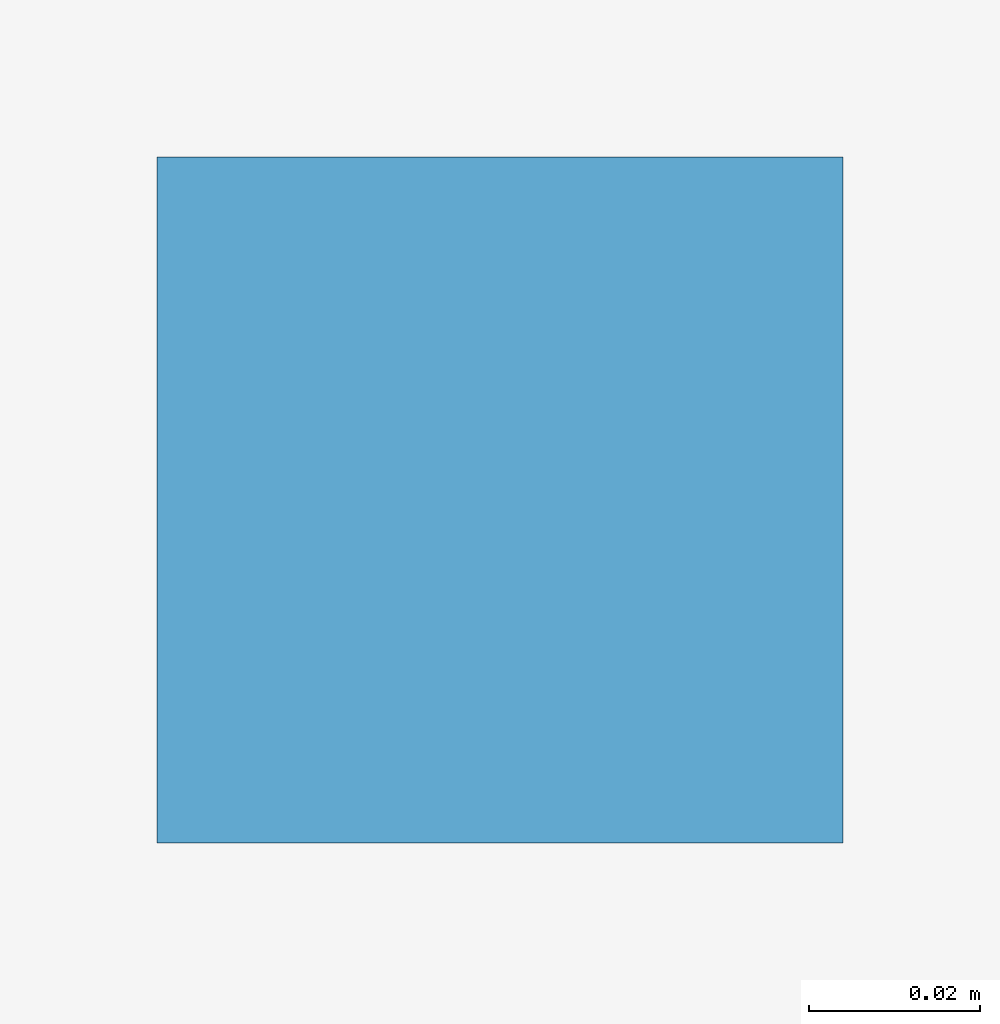
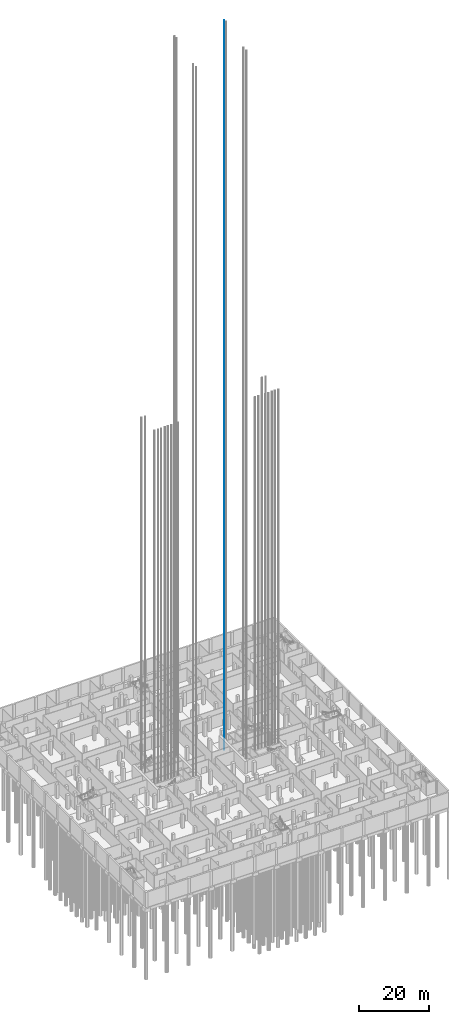
# One storey, part 42 of 54: 1 discrete accessory.
"""IFC4 building model written with IfcOpenShell, lengths in metres."""

from ifc_helpers import new_model, si_unit, direction, frame, origin, origin_2d, place, context, subcontext, project, spatial, rectangle, extrude, material, element, save


model = new_model("IFC4")

# Units and contexts
model_context = context("Model", 3, precision=1e-05, world=origin(), true_north=direction((0.0, 1.0)))
body_context = subcontext(model_context, "Body", "Model", "MODEL_VIEW")
ifc_project = project(units=[si_unit("LENGTHUNIT", "METRE"), si_unit("AREAUNIT", "SQUARE_METRE"), si_unit("VOLUMEUNIT", "CUBIC_METRE"), si_unit("PLANEANGLEUNIT", "RADIAN"), si_unit("MASSUNIT", "GRAM", prefix="KILO")], contexts=[model_context])

# Site, building, storey
site_placement = place(None, origin())
site = spatial("IfcSite", under=ifc_project, at=site_placement, CompositionType="ELEMENT")
building_placement = place(site_placement, origin())
building = spatial("IfcBuilding", under=site, at=building_placement, Name="Fustian Cross Tower", CompositionType="ELEMENT")
storey_placement = place(building_placement, frame((0.0, 0.0, -4.800048828125)))
storey = spatial("IfcBuildingStorey", under=building, at=storey_placement, Name="B1", CompositionType="ELEMENT", Elevation=-4.800048828125)

# Discrete accessory
ifc_material = material(Name="Steel S355", Category="steel")
discrete_accessory_placement = place(storey_placement, frame((8.18994140625, 6.10009765625, 0.0), z_axis=(0.0, 0.0, 1.0), x_axis=(1.0, 0.0, 0.0)))
element("IfcDiscreteAccessory", 1, at=discrete_accessory_placement, inside=storey, material=ifc_material, Name="Lift guide rail FL1 2", PredefinedType="NOTDEFINED", context=body_context, shape_type="SweptSolid", body=[
    extrude(rectangle(XDim=0.080078125, YDim=0.080078125, at=origin_2d()), origin(), (0.0, 0.0, 1.0), 254.449951171875),
])

save(model, "model.ifc")
